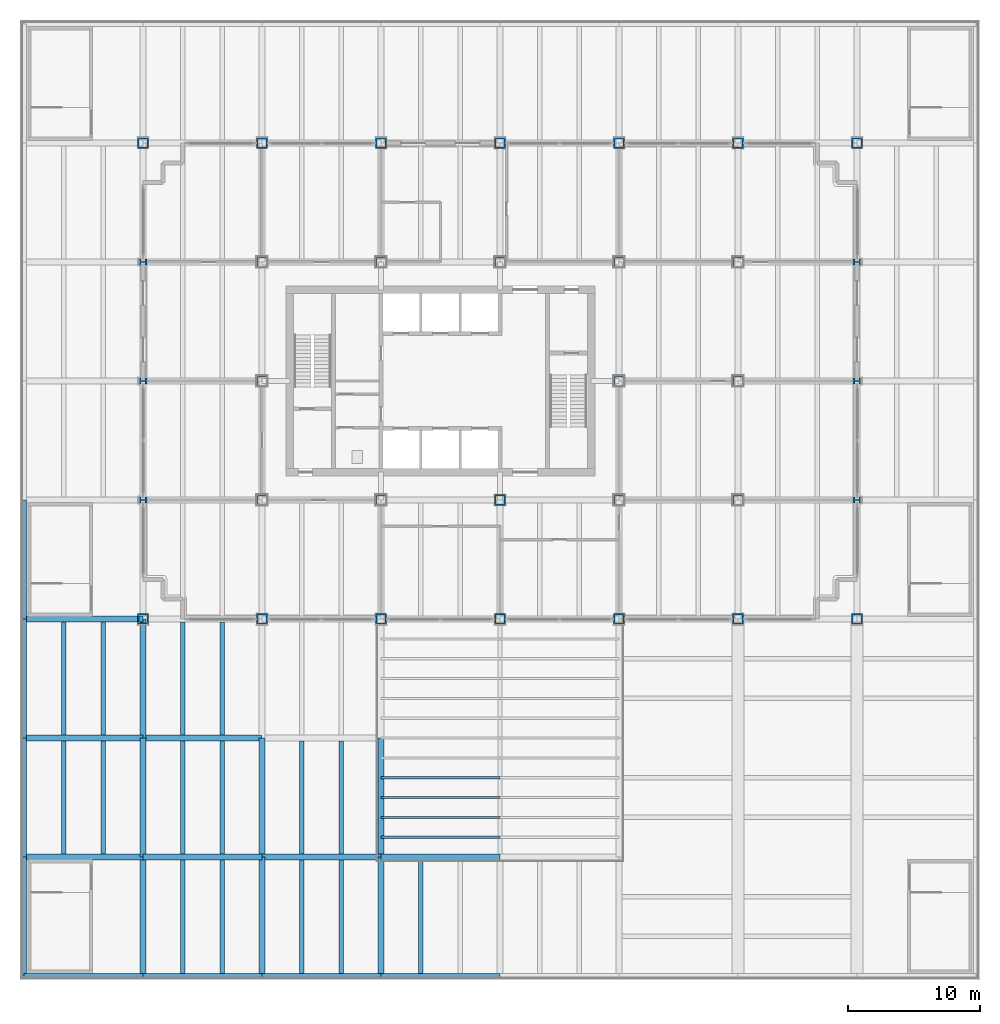
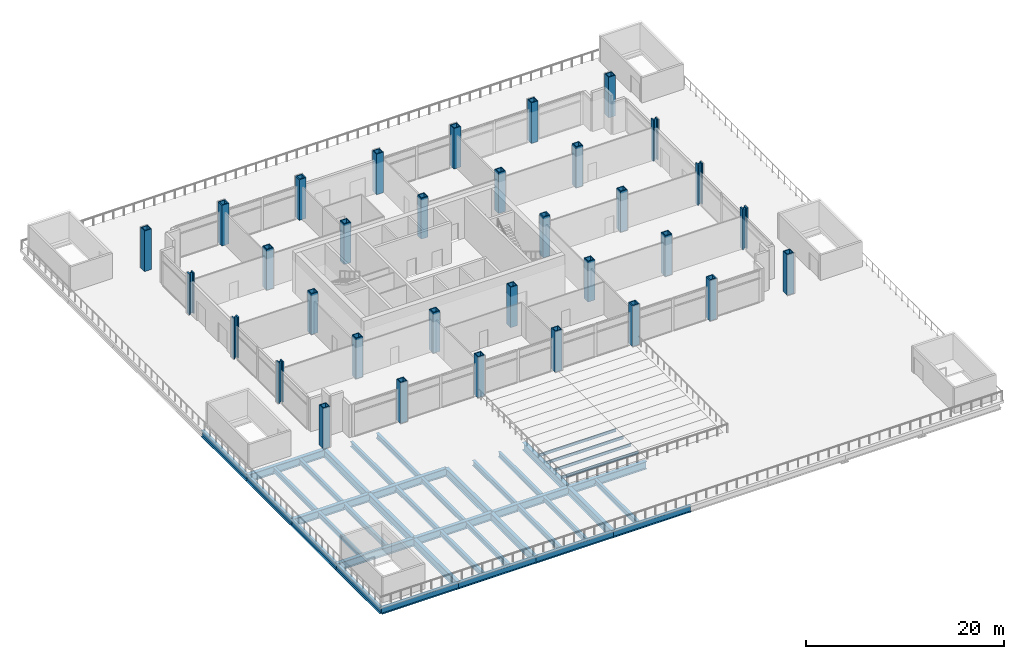
# One storey, part 1 of 16: 37 beams, 33 columns, 4 members.
"""IFC4 building model written with IfcOpenShell, lengths in metres."""

from ifc_helpers import new_model, si_unit, direction, frame, origin, origin_2d, place, context, subcontext, project, spatial, hollow_rectangle, i_section, extrude, material, material_profile, profile_set, type_object, element, save


model = new_model("IFC4")

# Units and contexts
model_context = context("Model", 3, precision=1e-05, world=origin(), true_north=direction((0.0, 1.0)))
body_context = subcontext(model_context, "Body", "Model", "MODEL_VIEW")
ifc_project = project(units=[si_unit("LENGTHUNIT", "METRE"), si_unit("AREAUNIT", "SQUARE_METRE"), si_unit("VOLUMEUNIT", "CUBIC_METRE"), si_unit("PLANEANGLEUNIT", "RADIAN"), si_unit("MASSUNIT", "GRAM", prefix="KILO")], contexts=[model_context])

# Site, building, storey
site_placement = place(None, origin())
site = spatial("IfcSite", under=ifc_project, at=site_placement, CompositionType="ELEMENT")
building_placement = place(site_placement, origin())
building = spatial("IfcBuilding", under=site, at=building_placement, Name="Loomwork Tower", CompositionType="ELEMENT")
storey_placement = place(building_placement, frame((0.0, 0.0, 23.0)))
storey = spatial("IfcBuildingStorey", under=building, at=storey_placement, Name="L04", CompositionType="ELEMENT", Elevation=23.0)

# Columns
ifc_material_1 = material(Name="Steel ASTM A572 Grade 50 plate", Category="steel")
ifc_material_profile_1 = material_profile(ifc_material_1, hollow_rectangle(XDim=0.800048828125, YDim=0.800048828125, WallThickness=0.10009765625, at=origin_2d()), Name="BOX800x100")
ifc_profile_set_1 = profile_set([ifc_material_profile_1], Name="Steel ASTM A572 Grade 50 plate")
column_type_1 = type_object("IfcColumnType", Name="EXOSKELETON PIER BOX800x100", PredefinedType="COLUMN", material=ifc_profile_set_1)
for number, where, z_axis, x_axis, name in (
    (1, (0.0, 0.0, 0.0), (0.0, 0.0, 1.0), (1.0, 0.0, 0.0), "Exoskeleton Pier D/2 L04"),
    (2, (0.0, 36.0, 0.0), (0.0, 0.0, 1.0), (1.0, 0.0, 0.0), "Exoskeleton Pier H/2 L04"),
    (3, (9.0, 0.0, 0.0), (0.0, 0.0, 1.0), (1.0, 0.0, 0.0), "Exoskeleton Pier D/3 L04"),
    (4, (9.0, 36.0, 0.0), (0.0, 0.0, 1.0), (1.0, 0.0, 0.0), "Exoskeleton Pier H/3 L04"),
    (5, (18.0, 0.0, 0.0), (0.0, 0.0, 1.0), (1.0, 0.0, 0.0), "Exoskeleton Pier D/4 L04"),
    (6, (18.0, 36.0, 0.0), (0.0, 0.0, 1.0), (1.0, 0.0, 0.0), "Exoskeleton Pier H/4 L04"),
    (7, (27.0, 0.0, 0.0), (0.0, 0.0, 1.0), (1.0, 0.0, 0.0), "Exoskeleton Pier D/5 L04"),
    (8, (27.0, 36.0, 0.0), (0.0, 0.0, 1.0), (1.0, 0.0, 0.0), "Exoskeleton Pier H/5 L04"),
    (9, (36.0, 0.0, 0.0), (0.0, 0.0, 1.0), (1.0, 0.0, 0.0), "Exoskeleton Pier D/6 L04"),
    (10, (36.0, 36.0, 0.0), (0.0, 0.0, 1.0), (1.0, 0.0, 0.0), "Exoskeleton Pier H/6 L04"),
    (11, (45.0, 0.0, 0.0), (0.0, 0.0, 1.0), (1.0, 0.0, 0.0), "Exoskeleton Pier D/7 L04"),
    (12, (45.0, 36.0, 0.0), (0.0, 0.0, 1.0), (1.0, 0.0, 0.0), "Exoskeleton Pier H/7 L04"),
    (13, (54.0, 0.0, 0.0), (0.0, 0.0, 1.0), (1.0, 0.0, 0.0), "Exoskeleton Pier D/8 L04"),
    (14, (54.0, 36.0, 0.0), (0.0, 0.0, 1.0), (1.0, 0.0, 0.0), "Exoskeleton Pier H/8 L04"),
):
    element("IfcColumn", number, at=place(storey_placement, frame(where, z_axis=z_axis, x_axis=x_axis)), inside=storey, type_object=column_type_1, Name=name, PredefinedType="COLUMN", context=body_context, shape_type="SweptSolid", body=[
        extrude(hollow_rectangle(XDim=0.800048828125, YDim=0.800048828125, WallThickness=0.10009765625, at=origin_2d()), origin(), (0.0, 0.0, 1.0), 5.0),
    ])
ifc_material_2 = material(Name="Steel ASTM A992", Category="steel")
ifc_material_profile_2 = material_profile(ifc_material_2, i_section(OverallWidth=0.4775390625, OverallDepth=0.599365234375, WebThickness=0.10009765625, FlangeThickness=0.139892578125, at=origin_2d()), Name="W14x873")
ifc_profile_set_2 = profile_set([ifc_material_profile_2], Name="Steel ASTM A992")
column_type_2 = type_object("IfcColumnType", Name="EXOSKELETON PIER W14x873", PredefinedType="COLUMN", material=ifc_profile_set_2)
for number, where, z_axis, x_axis, name in (
    (15, (0.0, 9.0, 0.0), (0.0, 0.0, 1.0), (0.0, 1.0, 0.0), "Exoskeleton Pier E/2 L04"),
    (16, (0.0, 18.0, 0.0), (0.0, 0.0, 1.0), (0.0, 1.0, 0.0), "Exoskeleton Pier F/2 L04"),
    (17, (0.0, 27.0, 0.0), (0.0, 0.0, 1.0), (0.0, 1.0, 0.0), "Exoskeleton Pier G/2 L04"),
    (18, (54.0, 9.0, 0.0), (0.0, 0.0, 1.0), (0.0, 1.0, 0.0), "Exoskeleton Pier E/8 L04"),
    (19, (54.0, 18.0, 0.0), (0.0, 0.0, 1.0), (0.0, 1.0, 0.0), "Exoskeleton Pier F/8 L04"),
    (20, (54.0, 27.0, 0.0), (0.0, 0.0, 1.0), (0.0, 1.0, 0.0), "Exoskeleton Pier G/8 L04"),
):
    element("IfcColumn", number, at=place(storey_placement, frame(where, z_axis=z_axis, x_axis=x_axis)), inside=storey, type_object=column_type_2, Name=name, PredefinedType="COLUMN", context=body_context, shape_type="SweptSolid", body=[
        extrude(i_section(OverallWidth=0.4775390625, OverallDepth=0.599365234375, WebThickness=0.10009765625, FlangeThickness=0.139892578125, at=origin_2d()), origin(), (0.0, 0.0, 1.0), 5.0),
    ])
ifc_material_3 = material(Name="Steel ASTM A572 Grade 50 plate", Category="steel")
ifc_material_profile_3 = material_profile(ifc_material_3, hollow_rectangle(XDim=0.800048828125, YDim=0.800048828125, WallThickness=0.10009765625, at=origin_2d()), Name="BOX800x100")
ifc_profile_set_3 = profile_set([ifc_material_profile_3], Name="Steel ASTM A572 Grade 50 plate")
column_type_3 = type_object("IfcColumnType", Name="TOWER COLUMN BOX800x100", PredefinedType="COLUMN", material=ifc_profile_set_3)
for number, where, z_axis, x_axis, name in (
    (21, (9.0, 9.0, 0.0), (0.0, 0.0, 1.0), (1.0, 0.0, 0.0), "Tower Column E/3 L04"),
    (22, (9.0, 18.0, 0.0), (0.0, 0.0, 1.0), (1.0, 0.0, 0.0), "Tower Column F/3 L04"),
    (23, (9.0, 27.0, 0.0), (0.0, 0.0, 1.0), (1.0, 0.0, 0.0), "Tower Column G/3 L04"),
    (24, (18.0, 9.0, 0.0), (0.0, 0.0, 1.0), (1.0, 0.0, 0.0), "Tower Column E/4 L04"),
    (25, (18.0, 27.0, 0.0), (0.0, 0.0, 1.0), (1.0, 0.0, 0.0), "Tower Column G/4 L04"),
    (26, (27.0, 9.0, 0.0), (0.0, 0.0, 1.0), (1.0, 0.0, 0.0), "Tower Column E/5 L04"),
    (27, (27.0, 27.0, 0.0), (0.0, 0.0, 1.0), (1.0, 0.0, 0.0), "Tower Column G/5 L04"),
    (28, (36.0, 9.0, 0.0), (0.0, 0.0, 1.0), (0.0, 1.0, 0.0), "Tower Column E/6 L04"),
    (29, (36.0, 18.0, 0.0), (0.0, 0.0, 1.0), (0.0, 1.0, 0.0), "Tower Column F/6 L04"),
    (30, (36.0, 27.0, 0.0), (0.0, 0.0, 1.0), (1.0, 0.0, 0.0), "Tower Column G/6 L04"),
    (31, (45.0, 9.0, 0.0), (0.0, 0.0, 1.0), (0.0, 1.0, 0.0), "Tower Column E/7 L04"),
    (32, (45.0, 18.0, 0.0), (0.0, 0.0, 1.0), (0.0, 1.0, 0.0), "Tower Column F/7 L04"),
    (33, (45.0, 27.0, 0.0), (0.0, 0.0, 1.0), (0.0, 1.0, 0.0), "Tower Column G/7 L04"),
):
    element("IfcColumn", number, at=place(storey_placement, frame(where, z_axis=z_axis, x_axis=x_axis)), inside=storey, type_object=column_type_3, Name=name, PredefinedType="COLUMN", context=body_context, shape_type="SweptSolid", body=[
        extrude(hollow_rectangle(XDim=0.800048828125, YDim=0.800048828125, WallThickness=0.10009765625, at=origin_2d()), origin(), (0.0, 0.0, 1.0), 5.0),
    ])

# Beams
ifc_material_4 = material(Name="Steel ASTM A992", Category="steel")
ifc_material_profile_4 = material_profile(ifc_material_4, i_section(OverallWidth=0.381103515625, OverallDepth=0.77978515625, WebThickness=0.01806640625, FlangeThickness=0.0302734375, at=origin_2d()), Name="W30x191")
ifc_profile_set_4 = profile_set([ifc_material_profile_4], Name="Steel ASTM A992")
beam_type_1 = type_object("IfcBeamType", Name="EDGE GIRDER W30x191", PredefinedType="BEAM", material=ifc_profile_set_4)
for number, where, z_axis, x_axis, name in (
    (34, (-9.0, -27.0, -0.68994140625), (1.0, 0.0, 0.0), (0.0, 1.0, 0.0), "Edge Girder A/1-A/2 L04"),
    (35, (0.0, -27.0, -0.68994140625), (1.0, 0.0, 0.0), (0.0, 1.0, 0.0), "Edge Girder A/2-A/3 L04"),
    (36, (9.0, -27.0, -0.68994140625), (1.0, 0.0, 0.0), (0.0, 1.0, 0.0), "Edge Girder A/3-A/4 L04"),
    (37, (18.0, -27.0, -0.68994140625), (1.0, 0.0, 0.0), (0.0, 1.0, 0.0), "Edge Girder A/4-A/5 L04"),
    (38, (-9.0, -27.0, -0.68994140625), (0.0, 1.0, 0.0), (-1.0, 0.0, 0.0), "Edge Girder A/1-B/1 L04"),
    (39, (-9.0, -18.0, -0.68994140625), (0.0, 1.0, 0.0), (-1.0, 0.0, 0.0), "Edge Girder B/1-C/1 L04"),
    (40, (-9.0, -9.0, -0.68994140625), (0.0, 1.0, 0.0), (-1.0, 0.0, 0.0), "Edge Girder C/1-D/1 L04"),
    (41, (-9.0, 0.0, -0.68994140625), (0.0, 1.0, 0.0), (-1.0, 0.0, 0.0), "Edge Girder D/1-E/1 L04"),
):
    element("IfcBeam", number, at=place(storey_placement, frame(where, z_axis=z_axis, x_axis=x_axis)), inside=storey, type_object=beam_type_1, Name=name, PredefinedType="BEAM", context=body_context, shape_type="SweptSolid", body=[
        extrude(i_section(OverallWidth=0.381103515625, OverallDepth=0.77978515625, WebThickness=0.01806640625, FlangeThickness=0.0302734375, at=origin_2d()), origin(), (0.0, 0.0, 1.0), 9.0),
    ])
ifc_material_5 = material(Name="Steel ASTM A992", Category="steel")
ifc_material_profile_5 = material_profile(ifc_material_5, i_section(OverallWidth=0.3251953125, OverallDepth=0.612060546875, WebThickness=0.0126953125, FlangeThickness=0.01904296875, at=origin_2d()), Name="W24x104")
ifc_profile_set_5 = profile_set([ifc_material_profile_5], Name="Steel ASTM A992")
beam_type_2 = type_object("IfcBeamType", Name="FLOOR JOIST W24x104", PredefinedType="JOIST", material=ifc_profile_set_5)
for number, where, z_axis, x_axis, name in (
    (42, (-6.0, -17.7880859375, -0.60595703125), (0.0, 1.0, 0.0), (-1.0, 0.0, 0.0), "Floor Joist -6.000,-18.000--6.000,-9.000 L04"),
    (43, (-3.0, -17.7880859375, -0.60595703125), (0.0, 1.0, 0.0), (-1.0, 0.0, 0.0), "Floor Joist -3.000,-18.000--3.000,-9.000 L04"),
    (44, (-6.0, -8.7880859375, -0.60595703125), (0.0, 1.0, 0.0), (-1.0, 0.0, 0.0), "Floor Joist -6.000,-9.000--6.000,0.000 L04"),
    (45, (-3.0, -8.7880859375, -0.60595703125), (0.0, 1.0, 0.0), (-1.0, 0.0, 0.0), "Floor Joist -3.000,-9.000--3.000,0.000 L04"),
):
    element("IfcBeam", number, at=place(storey_placement, frame(where, z_axis=z_axis, x_axis=x_axis)), inside=storey, type_object=beam_type_2, Name=name, PredefinedType="JOIST", context=body_context, shape_type="SweptSolid", body=[
        extrude(i_section(OverallWidth=0.3251953125, OverallDepth=0.612060546875, WebThickness=0.0126953125, FlangeThickness=0.01904296875, at=origin_2d()), origin(), (0.0, 0.0, 1.0), 8.576171875),
    ])
for number, where, z_axis, x_axis, name in (
    (46, (3.0, -26.81005859375, -0.60595703125), (0.0, 1.0, 0.0), (-1.0, 0.0, 0.0), "Floor Joist 3.000,-27.000-3.000,-18.000 L04"),
    (47, (6.0, -26.81005859375, -0.60595703125), (0.0, 1.0, 0.0), (-1.0, 0.0, 0.0), "Floor Joist 6.000,-27.000-6.000,-18.000 L04"),
):
    element("IfcBeam", number, at=place(storey_placement, frame(where, z_axis=z_axis, x_axis=x_axis)), inside=storey, type_object=beam_type_2, Name=name, PredefinedType="JOIST", context=body_context, shape_type="SweptSolid", body=[
        extrude(i_section(OverallWidth=0.3251953125, OverallDepth=0.612060546875, WebThickness=0.0126953125, FlangeThickness=0.01904296875, at=origin_2d()), origin(), (0.0, 0.0, 1.0), 8.59814453125),
    ])
for number, where, z_axis, x_axis, name in (
    (48, (3.0, -17.7880859375, -0.60595703125), (0.0, 1.0, 0.0), (-1.0, 0.0, 0.0), "Floor Joist 3.000,-18.000-3.000,-9.000 L04"),
    (49, (6.0, -17.7880859375, -0.60595703125), (0.0, 1.0, 0.0), (-1.0, 0.0, 0.0), "Floor Joist 6.000,-18.000-6.000,-9.000 L04"),
    (50, (3.0, -8.7880859375, -0.60595703125), (0.0, 1.0, 0.0), (-1.0, 0.0, 0.0), "Floor Joist 3.000,-9.000-3.000,0.000 L04"),
    (51, (6.0, -8.7880859375, -0.60595703125), (0.0, 1.0, 0.0), (-1.0, 0.0, 0.0), "Floor Joist 6.000,-9.000-6.000,0.000 L04"),
):
    element("IfcBeam", number, at=place(storey_placement, frame(where, z_axis=z_axis, x_axis=x_axis)), inside=storey, type_object=beam_type_2, Name=name, PredefinedType="JOIST", context=body_context, shape_type="SweptSolid", body=[
        extrude(i_section(OverallWidth=0.3251953125, OverallDepth=0.612060546875, WebThickness=0.0126953125, FlangeThickness=0.01904296875, at=origin_2d()), origin(), (0.0, 0.0, 1.0), 8.576171875),
    ])
for number, where, z_axis, x_axis, name in (
    (52, (12.0, -26.81005859375, -0.60595703125), (0.0, 1.0, 0.0), (-1.0, 0.0, 0.0), "Floor Joist 12.000,-27.000-12.000,-18.000 L04"),
    (53, (15.0, -26.81005859375, -0.60595703125), (0.0, 1.0, 0.0), (-1.0, 0.0, 0.0), "Floor Joist 15.000,-27.000-15.000,-18.000 L04"),
):
    element("IfcBeam", number, at=place(storey_placement, frame(where, z_axis=z_axis, x_axis=x_axis)), inside=storey, type_object=beam_type_2, Name=name, PredefinedType="JOIST", context=body_context, shape_type="SweptSolid", body=[
        extrude(i_section(OverallWidth=0.3251953125, OverallDepth=0.612060546875, WebThickness=0.0126953125, FlangeThickness=0.01904296875, at=origin_2d()), origin(), (0.0, 0.0, 1.0), 8.59814453125),
    ])
for number, where, z_axis, x_axis, name in (
    (54, (12.0, -17.7880859375, -0.60595703125), (0.0, 1.0, 0.0), (-1.0, 0.0, 0.0), "Floor Joist 12.000,-18.000-12.000,-9.000 L04"),
    (55, (15.0, -17.7880859375, -0.60595703125), (0.0, 1.0, 0.0), (-1.0, 0.0, 0.0), "Floor Joist 15.000,-18.000-15.000,-9.000 L04"),
):
    element("IfcBeam", number, at=place(storey_placement, frame(where, z_axis=z_axis, x_axis=x_axis)), inside=storey, type_object=beam_type_2, Name=name, PredefinedType="JOIST", context=body_context, shape_type="SweptSolid", body=[
        extrude(i_section(OverallWidth=0.3251953125, OverallDepth=0.612060546875, WebThickness=0.0126953125, FlangeThickness=0.01904296875, at=origin_2d()), origin(), (0.0, 0.0, 1.0), 8.576171875),
    ])
beam_placement = place(storey_placement, frame((21.0, -26.81005859375, -0.60595703125), z_axis=(0.0, 1.0, 0.0), x_axis=(-1.0, 0.0, 0.0)))
element("IfcBeam", 56, at=beam_placement, inside=storey, type_object=beam_type_2, Name="Floor Joist 21.000,-27.000-21.000,-18.000 L04", PredefinedType="JOIST", context=body_context, shape_type="SweptSolid", body=[
    extrude(i_section(OverallWidth=0.3251953125, OverallDepth=0.612060546875, WebThickness=0.0126953125, FlangeThickness=0.01904296875, at=origin_2d()), origin(), (0.0, 0.0, 1.0), 8.59814453125),
])

# Members
ifc_material_6 = material(Name="Steel ASTM A992", Category="steel")
ifc_material_profile_6 = material_profile(ifc_material_6, i_section(OverallWidth=0.164794921875, OverallDepth=0.309814453125, WebThickness=0.005859375, FlangeThickness=0.009765625, at=origin_2d()), Name="W12x26")
ifc_profile_set_6 = profile_set([ifc_material_profile_6], Name="Steel ASTM A992")
member_type = type_object("IfcMemberType", Name="SKYLIGHT PURLIN W12x26", PredefinedType="PURLIN", material=ifc_profile_set_6)
for number, where, z_axis, x_axis, name in (
    (57, (18.0, -16.5, -0.18701171875), (1.0, 0.0, 0.0), (0.0, 1.0, 0.0), "Skylight purlin 1"),
    (58, (18.0, -15.0, -0.18701171875), (1.0, 0.0, 0.0), (0.0, 1.0, 0.0), "Skylight purlin 2"),
    (59, (18.0, -13.5, -0.18701171875), (1.0, 0.0, 0.0), (0.0, 1.0, 0.0), "Skylight purlin 3"),
    (60, (18.0, -12.0, -0.18701171875), (1.0, 0.0, 0.0), (0.0, 1.0, 0.0), "Skylight purlin 4"),
):
    element("IfcMember", number, at=place(storey_placement, frame(where, z_axis=z_axis, x_axis=x_axis)), inside=storey, type_object=member_type, Name=name, PredefinedType="PURLIN", context=body_context, shape_type="SweptSolid", body=[
        extrude(i_section(OverallWidth=0.164794921875, OverallDepth=0.309814453125, WebThickness=0.005859375, FlangeThickness=0.009765625, at=origin_2d()), origin(), (0.0, 0.0, 1.0), 9.0),
    ])

# Beams
ifc_material_7 = material(Name="Steel ASTM A992", Category="steel")
ifc_material_profile_7 = material_profile(ifc_material_7, i_section(OverallWidth=0.424072265625, OverallDepth=0.947509765625, WebThickness=0.02392578125, FlangeThickness=0.042724609375, at=origin_2d()), Name="W36x302")
ifc_profile_set_7 = profile_set([ifc_material_profile_7], Name="Steel ASTM A992")
beam_type_3 = type_object("IfcBeamType", Name="TRANSFER FLOOR GIRDER W36x302", PredefinedType="BEAM", material=ifc_profile_set_7)
for number, where, z_axis, x_axis, name in (
    (61, (-9.0, -18.0, -0.773681640625), (1.0, 0.0, 0.0), (0.0, 1.0, 0.0), "Transfer Floor Girder B/1-B/2 L04"),
    (62, (0.0, -18.0, -0.773681640625), (1.0, 0.0, 0.0), (0.0, 1.0, 0.0), "Transfer Floor Girder B/2-B/3 L04"),
    (63, (9.0, -18.0, -0.773681640625), (1.0, 0.0, 0.0), (0.0, 1.0, 0.0), "Transfer Floor Girder B/3-B/4 L04"),
    (64, (18.0, -18.0, -0.773681640625), (1.0, 0.0, 0.0), (0.0, 1.0, 0.0), "Transfer Floor Girder B/4-B/5 L04"),
    (65, (-9.0, -9.0, -0.773681640625), (1.0, 0.0, 0.0), (0.0, 1.0, 0.0), "Transfer Floor Girder C/1-C/2 L04"),
    (66, (0.0, -9.0, -0.773681640625), (1.0, 0.0, 0.0), (0.0, 1.0, 0.0), "Transfer Floor Girder C/2-C/3 L04"),
    (67, (-9.0, 0.0, -0.773681640625), (1.0, 0.0, 0.0), (0.0, 1.0, 0.0), "Transfer Floor Girder D/1-D/2 L04"),
    (68, (0.0, -27.0, -0.773681640625), (0.0, 1.0, 0.0), (-1.0, 0.0, 0.0), "Transfer Floor Girder A/2-B/2 L04"),
    (69, (0.0, -18.0, -0.773681640625), (0.0, 1.0, 0.0), (-1.0, 0.0, 0.0), "Transfer Floor Girder B/2-C/2 L04"),
    (70, (0.0, -9.0, -0.773681640625), (0.0, 1.0, 0.0), (-1.0, 0.0, 0.0), "Transfer Floor Girder C/2-D/2 L04"),
    (71, (9.0, -27.0, -0.773681640625), (0.0, 1.0, 0.0), (-1.0, 0.0, 0.0), "Transfer Floor Girder A/3-B/3 L04"),
    (72, (9.0, -18.0, -0.773681640625), (0.0, 1.0, 0.0), (-1.0, 0.0, 0.0), "Transfer Floor Girder B/3-C/3 L04"),
    (73, (18.0, -27.0, -0.773681640625), (0.0, 1.0, 0.0), (-1.0, 0.0, 0.0), "Transfer Floor Girder A/4-B/4 L04"),
    (74, (18.0, -18.0, -0.773681640625), (0.0, 1.0, 0.0), (-1.0, 0.0, 0.0), "Transfer Floor Girder B/4-C/4 L04"),
):
    element("IfcBeam", number, at=place(storey_placement, frame(where, z_axis=z_axis, x_axis=x_axis)), inside=storey, type_object=beam_type_3, Name=name, PredefinedType="BEAM", context=body_context, shape_type="SweptSolid", body=[
        extrude(i_section(OverallWidth=0.424072265625, OverallDepth=0.947509765625, WebThickness=0.02392578125, FlangeThickness=0.042724609375, at=origin_2d()), origin(), (0.0, 0.0, 1.0), 9.0),
    ])

save(model, "model.ifc")
